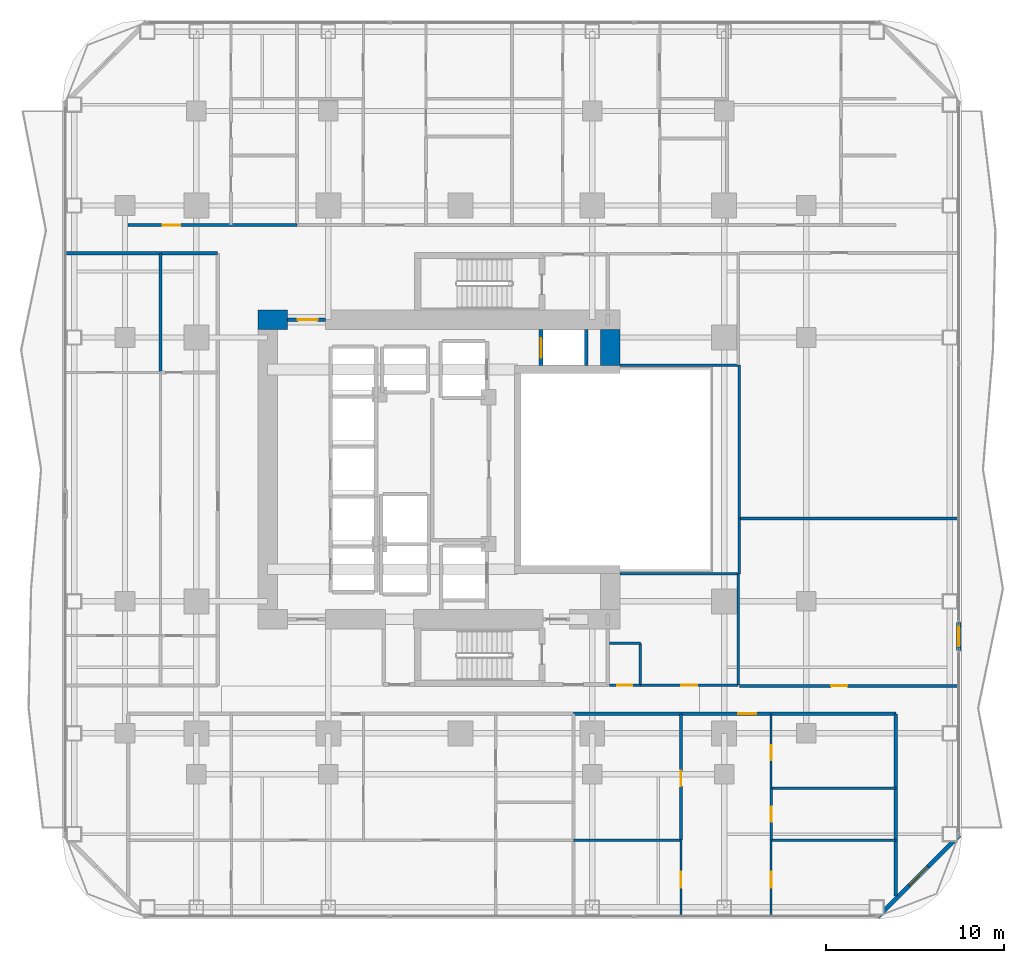
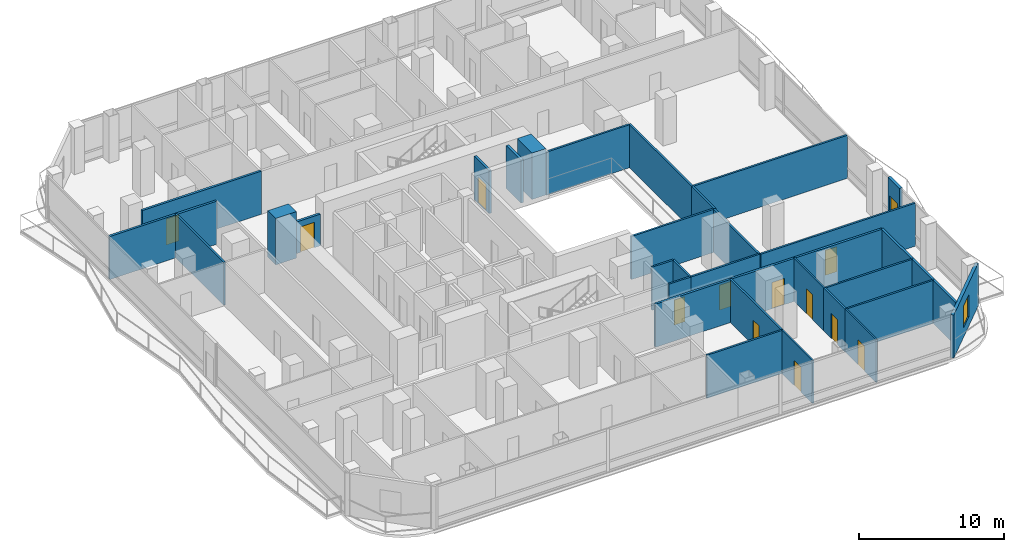
# One storey, part 22 of 27: 31 walls, 13 doors, 1 window, 14 openings.
"""IFC4 building model written with IfcOpenShell, lengths in metres."""

from ifc_helpers import new_model, si_unit, direction, frame, frame_2d, origin, place, context, subcontext, project, spatial, rectangle, extrude, material, layer, layer_set, type_object, element, fill, save


model = new_model("IFC4")

# Units and contexts
model_context = context("Model", 3, precision=1e-05, world=origin(), true_north=direction((0.0, 1.0)))
body_context = subcontext(model_context, "Body", "Model", "MODEL_VIEW")
ifc_project = project(units=[si_unit("LENGTHUNIT", "METRE"), si_unit("AREAUNIT", "SQUARE_METRE"), si_unit("VOLUMEUNIT", "CUBIC_METRE"), si_unit("PLANEANGLEUNIT", "RADIAN"), si_unit("MASSUNIT", "GRAM", prefix="KILO")], contexts=[model_context])

# Site, building, storey
site_placement = place(None, origin())
site = spatial("IfcSite", under=ifc_project, at=site_placement, CompositionType="ELEMENT")
building_placement = place(site_placement, origin())
building = spatial("IfcBuilding", under=site, at=building_placement, Name="Khorvyn Point Tower", CompositionType="ELEMENT")
storey_placement = place(building_placement, frame((0.0, 0.0, 50.10009765625)))
storey = spatial("IfcBuildingStorey", under=building, at=storey_placement, Name="L13", CompositionType="ELEMENT", Elevation=50.10009765625)

# Wall, opening, door
ifc_material_1 = material(Name="Double acoustic gypsum on twin steel stud", Category="steel")
ifc_layer_1 = layer(ifc_material_1, 0.179931640625)
ifc_layer_set_1 = layer_set([ifc_layer_1], Name="Acoustic Double-Stud Apartment Demising Wall 180")
wall_type_1 = type_object("IfcWallType", Name="Acoustic Double-Stud Apartment Demising Wall 180", PredefinedType="PARTITIONING", material=ifc_layer_set_1)
wall_1_placement = place(storey_placement, frame((-18.6201171875, 13.699951171875, 0.0), z_axis=(0.0, 0.0, 1.0), x_axis=(1.0, 0.0, 0.0)))
wall_1 = element("IfcWall", 1, at=wall_1_placement, inside=storey, type_object=wall_type_1, Name="Wall", PredefinedType="PARTITIONING", context=body_context, shape_type="SweptSolid", body=[
    extrude(rectangle(XDim=9.46923828125, YDim=0.179931640625, at=frame_2d((4.734619140625, 0.0))), origin(), (0.0, 0.0, 1.0), 3.619873046875),
])
opening_1_placement = place(wall_1_placement, frame((1.931396484375, 0.0, 0.0)))
opening_1 = element("IfcOpeningElement", 2, at=opening_1_placement, cuts=wall_1, Name="Opening ID-AP60", PredefinedType="OPENING", context=body_context, shape_type="SweptSolid", body=[
    extrude(rectangle(XDim=1.0, YDim=2.199951171875, at=frame_2d((0.5, 1.10009765625))), frame((0.0, 0.099853515625, 0.0), z_axis=(0.0, -1.0, 0.0), x_axis=(1.0, 0.0, 0.0)), (0.0, 0.0, 1.0), 0.199951171875),
])
ifc_material_2 = material(Name="Engineered hardwood fire-rated leaf", Category="wood")
door_type_1 = type_object("IfcDoorType", Name="Acoustic Solid-Core Timber Apartment Entrance Door 1000x2200", OperationType="NOTDEFINED", PredefinedType="DOOR", material=ifc_material_2)
door_1_placement = place(opening_1_placement, origin())
door_1 = element("IfcDoor", 3, at=door_1_placement, inside=storey, type_object=door_type_1, Name="Door", OperationType="SINGLE_SWING_RIGHT", OverallHeight=2.199951171875, OverallWidth=1.0, PredefinedType="DOOR", context=body_context, shape_type="SweptSolid", body=[
    extrude(rectangle(XDim=1.0, YDim=2.199951171875, at=frame_2d((0.5, 1.10009765625))), frame((0.0, 0.02490234375, 0.0), z_axis=(0.0, -1.0, 0.0), x_axis=(1.0, 0.0, 0.0)), (0.0, 0.0, 1.0), 0.050048828125),
])
fill(opening_1, door_1)

wall_2_placement = place(storey_placement, frame((6.343017578125, -13.699951171875, 0.0), z_axis=(0.0, 0.0, 1.0), x_axis=(1.0, 0.0, 0.0)))
wall_2 = element("IfcWall", 4, at=wall_2_placement, inside=storey, type_object=wall_type_1, Name="Wall", PredefinedType="PARTITIONING", context=body_context, shape_type="SweptSolid", body=[
    extrude(rectangle(XDim=18.076904296875, YDim=0.179931640625, at=frame_2d((9.03857421875, 0.0))), origin(), (0.0, 0.0, 1.0), 3.619873046875),
])
opening_2_placement = place(wall_2_placement, frame((9.251708984375, 0.0, 0.0)))
opening_2 = element("IfcOpeningElement", 5, at=opening_2_placement, cuts=wall_2, Name="Opening ID-AP60", PredefinedType="OPENING", context=body_context, shape_type="SweptSolid", body=[
    extrude(rectangle(XDim=1.0, YDim=2.199951171875, at=frame_2d((0.5, 1.10009765625))), frame((0.0, 0.099853515625, 0.0), z_axis=(0.0, -1.0, 0.0), x_axis=(1.0, 0.0, 0.0)), (0.0, 0.0, 1.0), 0.199951171875),
])
door_2_placement = place(opening_2_placement, origin())
door_2 = element("IfcDoor", 6, at=door_2_placement, inside=storey, type_object=door_type_1, Name="Door", OperationType="SINGLE_SWING_LEFT", OverallHeight=2.199951171875, OverallWidth=1.0, PredefinedType="DOOR", context=body_context, shape_type="SweptSolid", body=[
    extrude(rectangle(XDim=1.0, YDim=2.199951171875, at=frame_2d((0.5, 1.10009765625))), frame((0.0, 0.02490234375, 0.0), z_axis=(0.0, -1.0, 0.0), x_axis=(1.0, 0.0, 0.0)), (0.0, 0.0, 1.0), 0.050048828125),
])
fill(opening_2, door_2)

# Walls
wall_3_placement = place(storey_placement, frame((24.419921875, -23.909912109375, 0.0), z_axis=(0.0, 0.0, 1.0), x_axis=(0.0, 1.0, 0.0)))
element("IfcWall", 7, at=wall_3_placement, inside=storey, type_object=wall_type_1, Name="Wall", PredefinedType="PARTITIONING", context=body_context, shape_type="SweptSolid", body=[
    extrude(rectangle(XDim=10.2099609375, YDim=0.179931640625, at=frame_2d((5.10498046875, 0.0))), origin(), (0.0, 0.0, 1.0), 3.619873046875),
])
wall_4_placement = place(storey_placement, frame((-22.1298828125, 12.1201171875, 0.0), z_axis=(0.0, 0.0, 1.0), x_axis=(1.0, 0.0, 0.0)))
element("IfcWall", 8, at=wall_4_placement, inside=storey, type_object=wall_type_1, Name="Wall", PredefinedType="PARTITIONING", context=body_context, shape_type="SweptSolid", body=[
    extrude(rectangle(XDim=8.52978515625, YDim=0.179931640625, at=frame_2d((4.264892578125, 0.0))), origin(), (0.0, 0.0, 1.0), 3.619873046875),
])

# Wall, opening, door
ifc_material_3 = material(Name="Pale anodised aluminium rainscreen on steel stud", Category="steel")
ifc_layer_2 = layer(ifc_material_3, 0.239990234375)
ifc_layer_set_2 = layer_set([ifc_layer_2], Name="Anodised Aluminium Insulated Corner Spandrel Wall 240")
wall_type_2 = type_object("IfcWallType", Name="Anodised Aluminium Insulated Corner Spandrel Wall 240", PredefinedType="SOLIDWALL", material=ifc_layer_set_2)
wall_5_placement = place(storey_placement, frame((27.949951171875, -8.576904296875, 0.0), z_axis=(0.0, 0.0, 1.0), x_axis=(0.0, -1.0, 0.0)))
wall_5 = element("IfcWall", 9, at=wall_5_placement, inside=storey, type_object=wall_type_2, Name="L13 East Outdoor Threshold Wall", PredefinedType="SOLIDWALL", context=body_context, shape_type="SweptSolid", body=[
    extrude(rectangle(XDim=1.580078125, YDim=0.239990234375, at=frame_2d((0.7900390625, 0.0))), origin(), (0.0, 0.0, 1.0), 3.619873046875),
])
opening_3_placement = place(wall_5_placement, frame((0.239990234375, 0.0, 0.0)))
opening_3 = element("IfcOpeningElement", 10, at=opening_3_placement, cuts=wall_5, Name="Opening BD-1122", PredefinedType="OPENING", context=body_context, shape_type="SweptSolid", body=[
    extrude(rectangle(XDim=1.10009765625, YDim=2.199951171875, at=frame_2d((0.550048828125, 1.10009765625))), frame((0.0, 0.1298828125, 0.0), z_axis=(0.0, -1.0, 0.0), x_axis=(1.0, 0.0, 0.0)), (0.0, 0.0, 1.0), 0.260009765625),
])
ifc_material_4 = material(Name="Anodised aluminium 6063-T6 and laminated Low-E glass", Category="aluminium")
door_type_2 = type_object("IfcDoorType", Name="Glazed Balcony and Terrace Threshold Door 1100x2200", OperationType="NOTDEFINED", PredefinedType="DOOR", material=ifc_material_4)
door_3_placement = place(opening_3_placement, origin())
door_3 = element("IfcDoor", 11, at=door_3_placement, inside=storey, type_object=door_type_2, Name="L13 East Glazed Balcony Outdoor Door", OperationType="SINGLE_SWING_LEFT", OverallHeight=2.199951171875, OverallWidth=1.10009765625, PredefinedType="DOOR", context=body_context, shape_type="SweptSolid", body=[
    extrude(rectangle(XDim=1.10009765625, YDim=2.199951171875, at=frame_2d((0.550048828125, 1.10009765625))), frame((0.0, 0.02490234375, 0.0), z_axis=(0.0, -1.0, 0.0), x_axis=(1.0, 0.0, 0.0)), (0.0, 0.0, 1.0), 0.050048828125),
])
fill(opening_3, door_3)

# Wall, opening, window
wall_6_placement = place(storey_placement, frame((27.992431640625, -20.507568359375, 0.0), z_axis=(0.0, 0.0, 1.0), x_axis=(-0.707106781187, -0.707106781187, 0.0)))
wall_6 = element("IfcWall", 12, at=wall_6_placement, inside=storey, type_object=wall_type_2, Name="L13 Rounded Corner Wall SE", PredefinedType="SOLIDWALL", context=body_context, shape_type="SweptSolid", body=[
    extrude(rectangle(XDim=6.48388671875, YDim=0.239990234375, at=frame_2d((3.241943359375, 0.0))), origin(), (0.0, 0.0, 1.0), 3.619873046875),
])
opening_4_placement = place(wall_6_placement, frame((2.491943359375, 0.0, 0.800048828125)))
opening_4 = element("IfcOpeningElement", 13, at=opening_4_placement, cuts=wall_6, Name="Opening WN-1518", PredefinedType="OPENING", context=body_context, shape_type="SweptSolid", body=[
    extrude(rectangle(XDim=1.5, YDim=1.85009765625, at=frame_2d((0.75, 0.925048828125))), frame((0.0, 0.1298828125, 0.0), z_axis=(0.0, -1.0, 0.0), x_axis=(1.0, 0.0, 0.0)), (0.0, 0.0, 1.0), 0.260009765625),
])
window_type = type_object("IfcWindowType", Name="Anodised Aluminium Rounded-Corner Panoramic Window 1500x1850", PartitioningType="SINGLE_PANEL", PredefinedType="WINDOW", material=ifc_material_4)
window_placement = place(opening_4_placement, origin())
window = element("IfcWindow", 14, at=window_placement, inside=storey, type_object=window_type, Name="L13 Corner Panoramic Window SE", OverallHeight=1.85009765625, OverallWidth=1.5, PartitioningType="SINGLE_PANEL", PredefinedType="WINDOW", context=body_context, shape_type="SweptSolid", body=[
    extrude(rectangle(XDim=1.5, YDim=1.85009765625, at=frame_2d((0.75, 0.925048828125))), frame((0.0, 0.030029296875, 0.0), z_axis=(0.0, -1.0, 0.0), x_axis=(1.0, 0.0, 0.0)), (0.0, 0.0, 1.0), 0.06005859375),
])
fill(opening_4, window)

# Wall, opening, door
ifc_material_5 = material(Name="Concrete C40/50", Category="concrete")
ifc_layer_3 = layer(ifc_material_5, 0.199951171875)
ifc_layer_set_3 = layer_set([ifc_layer_3], Name="Concrete C40/50 Fire-Lobby Compartment Wall 200")
wall_type_3 = type_object("IfcWallType", Name="Concrete C40/50 Fire-Lobby Compartment Wall 200", PredefinedType="SOLIDWALL", material=ifc_layer_set_3)
wall_7_placement = place(storey_placement, frame((-9.699951171875, 8.39990234375, 0.0), z_axis=(0.0, 0.0, 1.0), x_axis=(1.0, 0.0, 0.0)))
wall_7 = element("IfcWall", 15, at=wall_7_placement, inside=storey, type_object=wall_type_3, Name="Wall", PredefinedType="SOLIDWALL", context=body_context, shape_type="SweptSolid", body=[
    extrude(rectangle(XDim=2.14990234375, YDim=0.199951171875, at=frame_2d((1.074951171875, 0.0))), origin(), (0.0, 0.0, 1.0), 2.659912109375),
])
opening_5_placement = place(wall_7_placement, frame((0.597900390625, 0.0, 0.0)))
opening_5 = element("IfcOpeningElement", 16, at=opening_5_placement, cuts=wall_7, Name="Opening ID-FL90", PredefinedType="OPENING", context=body_context, shape_type="SweptSolid", body=[
    extrude(rectangle(XDim=1.10009765625, YDim=2.14990234375, at=frame_2d((0.550048828125, 1.074951171875))), frame((0.0, 0.10986328125, 0.0), z_axis=(0.0, -1.0, 0.0), x_axis=(1.0, 0.0, 0.0)), (0.0, 0.0, 1.0), 0.219970703125),
])
ifc_material_6 = material(Name="Galvanised powder-coated steel", Category="steel")
door_type_3 = type_object("IfcDoorType", Name="Fire-Rated Steel Lobby and Stair Door 1100x2150", OperationType="NOTDEFINED", PredefinedType="DOOR", material=ifc_material_6)
door_4_placement = place(opening_5_placement, origin())
door_4 = element("IfcDoor", 17, at=door_4_placement, inside=storey, type_object=door_type_3, Name="Door", OperationType="SINGLE_SWING_RIGHT", OverallHeight=2.14990234375, OverallWidth=1.10009765625, PredefinedType="DOOR", context=body_context, shape_type="SweptSolid", body=[
    extrude(rectangle(XDim=1.10009765625, YDim=2.14990234375, at=frame_2d((0.550048828125, 1.074951171875))), frame((0.0, 0.02490234375, 0.0), z_axis=(0.0, -1.0, 0.0), x_axis=(1.0, 0.0, 0.0)), (0.0, 0.0, 1.0), 0.050048828125),
])
fill(opening_5, door_4)

ifc_layer_4 = layer(ifc_material_5, 0.199951171875)
ifc_layer_set_4 = layer_set([ifc_layer_4], Name="Concrete C40/50 Structural Hoistway and Stair Shaft Wall 200")
wall_type_4 = type_object("IfcWallType", Name="Concrete C40/50 Structural Hoistway and Stair Shaft Wall 200", PredefinedType="SHEAR", material=ifc_layer_set_4)
wall_8_placement = place(storey_placement, frame((4.52490234375, 5.824951171875, 0.0), z_axis=(0.0, 0.0, 1.0), x_axis=(0.0, 1.0, 0.0)))
wall_8 = element("IfcWall", 18, at=wall_8_placement, inside=storey, type_object=wall_type_4, Name="Wall", PredefinedType="SHEAR", context=body_context, shape_type="SweptSolid", body=[
    extrude(rectangle(XDim=2.025146484375, YDim=0.199951171875, at=frame_2d((1.0126953125, 0.0))), origin(), (0.0, 0.0, 1.0), 3.619873046875),
])
opening_6_placement = place(wall_8_placement, frame((0.425048828125, 0.0, 0.0)))
opening_6 = element("IfcOpeningElement", 19, at=opening_6_placement, cuts=wall_8, Name="Opening LD-1122", PredefinedType="OPENING", context=body_context, shape_type="SweptSolid", body=[
    extrude(rectangle(XDim=1.10009765625, YDim=2.199951171875, at=frame_2d((0.550048828125, 1.10009765625))), frame((0.0, 0.10986328125, 0.0), z_axis=(0.0, -1.0, 0.0), x_axis=(1.0, 0.0, 0.0)), (0.0, 0.0, 1.0), 0.219970703125),
])
ifc_material_7 = material(Name="Stainless steel 1.4301", Category="steel")
door_type_4 = type_object("IfcDoorType", Name="Stainless Steel Automatic Sliding Lift Landing Door 1100x2200", OperationType="SLIDING_TO_LEFT", PredefinedType="DOOR", material=ifc_material_7)
door_5_placement = place(opening_6_placement, origin())
door_5 = element("IfcDoor", 20, at=door_5_placement, inside=storey, type_object=door_type_4, Name="L13 FF-02 Sliding Lift Landing Door", OperationType="SLIDING_TO_LEFT", OverallHeight=2.199951171875, OverallWidth=1.10009765625, PredefinedType="DOOR", context=body_context, shape_type="SweptSolid", body=[
    extrude(rectangle(XDim=1.10009765625, YDim=2.199951171875, at=frame_2d((0.550048828125, 1.10009765625))), frame((0.0, 0.02490234375, 0.0), z_axis=(0.0, -1.0, 0.0), x_axis=(1.0, 0.0, 0.0)), (0.0, 0.0, 1.0), 0.050048828125),
])
fill(opening_6, door_5)

# Walls
wall_9_placement = place(storey_placement, frame((7.074951171875, 5.824951171875, 0.0), z_axis=(0.0, 0.0, 1.0), x_axis=(0.0, 1.0, 0.0)))
element("IfcWall", 21, at=wall_9_placement, inside=storey, type_object=wall_type_4, Name="Wall", PredefinedType="SHEAR", context=body_context, shape_type="SweptSolid", body=[
    extrude(rectangle(XDim=2.025146484375, YDim=0.199951171875, at=frame_2d((1.0126953125, 0.0))), origin(), (0.0, 0.0, 1.0), 3.619873046875),
])
ifc_material_8 = material(Name="Concrete C50/60", Category="concrete")
ifc_layer_5 = layer(ifc_material_8, 1.10009765625)
ifc_layer_set_5 = layer_set([ifc_layer_5], Name="Concrete C50/60 Core Shear Wall 1100")
wall_type_5 = type_object("IfcWallType", Name="Concrete C50/60 Core Shear Wall 1100", PredefinedType="SHEAR", material=ifc_layer_set_5)
wall_10_placement = place(storey_placement, frame((-11.35009765625, 8.39990234375, 0.0), z_axis=(0.0, 0.0, 1.0), x_axis=(1.0, 0.0, 0.0)))
element("IfcWall", 22, at=wall_10_placement, inside=storey, type_object=wall_type_5, Name="Wall", PredefinedType="SHEAR", context=body_context, shape_type="SweptSolid", body=[
    extrude(rectangle(XDim=1.650146484375, YDim=1.10009765625, at=frame_2d((0.8251953125, 0.0))), origin(), (0.0, 0.0, 1.0), 3.89990234375),
])
wall_11_placement = place(storey_placement, frame((8.39990234375, 5.824951171875, 0.0), z_axis=(0.0, 0.0, 1.0), x_axis=(0.0, 1.0, 0.0)))
element("IfcWall", 23, at=wall_11_placement, inside=storey, type_object=wall_type_5, Name="Wall", PredefinedType="SHEAR", context=body_context, shape_type="SweptSolid", body=[
    extrude(rectangle(XDim=2.025146484375, YDim=1.10009765625, at=frame_2d((1.0126953125, 0.0))), origin(), (0.0, 0.0, 1.0), 3.89990234375),
])

# Wall, opening, door
ifc_material_9 = material(Name="Gypsum plasterboard on steel stud", Category="steel")
ifc_layer_6 = layer(ifc_material_9, 0.1201171875)
ifc_layer_set_6 = layer_set([ifc_layer_6], Name="Gypsum Acoustic Stud Room Partition Wall 120")
wall_type_6 = type_object("IfcWallType", Name="Gypsum Acoustic Stud Room Partition Wall 120", PredefinedType="PARTITIONING", material=ifc_layer_set_6)
wall_12_placement = place(storey_placement, frame((12.375, -25.030029296875, 0.0), z_axis=(0.0, 0.0, 1.0), x_axis=(0.0, 1.0, 0.0)))
wall_12 = element("IfcWall", 24, at=wall_12_placement, inside=storey, type_object=wall_type_6, Name="Wall", PredefinedType="PARTITIONING", context=body_context, shape_type="SweptSolid", body=[
    extrude(rectangle(XDim=4.239990234375, YDim=0.1201171875, at=frame_2d((2.1201171875, 0.0))), origin(), (0.0, 0.0, 1.0), 3.619873046875),
])
opening_7_placement = place(wall_12_placement, frame((1.581298828125, 0.0, 0.0)))
opening_7 = element("IfcOpeningElement", 25, at=opening_7_placement, cuts=wall_12, Name="Opening ID-RM90", PredefinedType="OPENING", context=body_context, shape_type="SweptSolid", body=[
    extrude(rectangle(XDim=0.89990234375, YDim=2.10009765625, at=frame_2d((0.449951171875, 1.050048828125))), frame((0.0, 0.070068359375, 0.0), z_axis=(0.0, -1.0, 0.0), x_axis=(1.0, 0.0, 0.0)), (0.0, 0.0, 1.0), 0.14013671875),
])
ifc_material_10 = material(Name="Engineered oak veneer timber", Category="wood")
door_type_5 = type_object("IfcDoorType", Name="Flush Engineered Timber Room Door 900x2100", OperationType="NOTDEFINED", PredefinedType="DOOR", material=ifc_material_10)
door_6_placement = place(opening_7_placement, origin())
door_6 = element("IfcDoor", 26, at=door_6_placement, inside=storey, type_object=door_type_5, Name="Door", OperationType="SINGLE_SWING_LEFT", OverallHeight=2.10009765625, OverallWidth=0.89990234375, PredefinedType="DOOR", context=body_context, shape_type="SweptSolid", body=[
    extrude(rectangle(XDim=0.89990234375, YDim=2.10009765625, at=frame_2d((0.449951171875, 1.050048828125))), frame((0.0, 0.02490234375, 0.0), z_axis=(0.0, -1.0, 0.0), x_axis=(1.0, 0.0, 0.0)), (0.0, 0.0, 1.0), 0.050048828125),
])
fill(opening_7, door_6)

wall_13_placement = place(storey_placement, frame((17.427978515625, -17.883056640625, 0.0), z_axis=(0.0, 0.0, 1.0), x_axis=(0.0, 1.0, 0.0)))
wall_13 = element("IfcWall", 27, at=wall_13_placement, inside=storey, type_object=wall_type_6, Name="Wall", PredefinedType="PARTITIONING", context=body_context, shape_type="SweptSolid", body=[
    extrude(rectangle(XDim=4.18310546875, YDim=0.1201171875, at=frame_2d((2.091552734375, 0.0))), origin(), (0.0, 0.0, 1.0), 3.619873046875),
])
opening_8_placement = place(wall_13_placement, frame((1.577880859375, 0.0, 0.0)))
opening_8 = element("IfcOpeningElement", 28, at=opening_8_placement, cuts=wall_13, Name="Opening ID-WC85", PredefinedType="OPENING", context=body_context, shape_type="SweptSolid", body=[
    extrude(rectangle(XDim=0.85009765625, YDim=2.10009765625, at=frame_2d((0.425048828125, 1.050048828125))), frame((0.0, 0.070068359375, 0.0), z_axis=(0.0, -1.0, 0.0), x_axis=(1.0, 0.0, 0.0)), (0.0, 0.0, 1.0), 0.14013671875),
])
ifc_material_11 = material(Name="High-pressure laminate on moisture-resistant core", Category="wood")
door_type_6 = type_object("IfcDoorType", Name="Moisture-Resistant Accessible Washroom Door 850x2100", OperationType="NOTDEFINED", PredefinedType="DOOR", material=ifc_material_11)
door_7_placement = place(opening_8_placement, origin())
door_7 = element("IfcDoor", 29, at=door_7_placement, inside=storey, type_object=door_type_6, Name="Door", OperationType="SINGLE_SWING_LEFT", OverallHeight=2.10009765625, OverallWidth=0.85009765625, PredefinedType="DOOR", context=body_context, shape_type="SweptSolid", body=[
    extrude(rectangle(XDim=0.85009765625, YDim=2.10009765625, at=frame_2d((0.425048828125, 1.050048828125))), frame((0.0, 0.02490234375, 0.0), z_axis=(0.0, -1.0, 0.0), x_axis=(1.0, 0.0, 0.0)), (0.0, 0.0, 1.0), 0.050048828125),
])
fill(opening_8, door_7)

wall_14_placement = place(storey_placement, frame((17.427978515625, -25.030029296875, 0.0), z_axis=(0.0, 0.0, 1.0), x_axis=(0.0, 1.0, 0.0)))
wall_14 = element("IfcWall", 30, at=wall_14_placement, inside=storey, type_object=wall_type_6, Name="Wall", PredefinedType="PARTITIONING", context=body_context, shape_type="SweptSolid", body=[
    extrude(rectangle(XDim=4.239990234375, YDim=0.1201171875, at=frame_2d((2.1201171875, 0.0))), origin(), (0.0, 0.0, 1.0), 3.619873046875),
])
opening_9_placement = place(wall_14_placement, frame((1.581298828125, 0.0, 0.0)))
opening_9 = element("IfcOpeningElement", 31, at=opening_9_placement, cuts=wall_14, Name="Opening ID-RM90", PredefinedType="OPENING", context=body_context, shape_type="SweptSolid", body=[
    extrude(rectangle(XDim=0.89990234375, YDim=2.10009765625, at=frame_2d((0.449951171875, 1.050048828125))), frame((0.0, 0.070068359375, 0.0), z_axis=(0.0, -1.0, 0.0), x_axis=(1.0, 0.0, 0.0)), (0.0, 0.0, 1.0), 0.14013671875),
])
door_8_placement = place(opening_9_placement, origin())
door_8 = element("IfcDoor", 32, at=door_8_placement, inside=storey, type_object=door_type_5, Name="Door", OperationType="SINGLE_SWING_RIGHT", OverallHeight=2.10009765625, OverallWidth=0.89990234375, PredefinedType="DOOR", context=body_context, shape_type="SweptSolid", body=[
    extrude(rectangle(XDim=0.89990234375, YDim=2.10009765625, at=frame_2d((0.449951171875, 1.050048828125))), frame((0.0, 0.02490234375, 0.0), z_axis=(0.0, -1.0, 0.0), x_axis=(1.0, 0.0, 0.0)), (0.0, 0.0, 1.0), 0.050048828125),
])
fill(opening_9, door_8)

ifc_material_12 = material(Name="Moisture-resistant gypsum and cement board", Category="gypsum")
ifc_layer_7 = layer(ifc_material_12, 0.14990234375)
ifc_layer_set_7 = layer_set([ifc_layer_7], Name="Moisture-Resistant Wet-Room Partition Wall 150")
wall_type_7 = type_object("IfcWallType", Name="Moisture-Resistant Wet-Room Partition Wall 150", PredefinedType="PARTITIONING", material=ifc_layer_set_7)
wall_15_placement = place(storey_placement, frame((8.360107421875, -12.10009765625, 0.0), z_axis=(0.0, 0.0, 1.0), x_axis=(1.0, 0.0, 0.0)))
wall_15 = element("IfcWall", 33, at=wall_15_placement, inside=storey, type_object=wall_type_7, Name="Wall", PredefinedType="PARTITIONING", context=body_context, shape_type="SweptSolid", body=[
    extrude(rectangle(XDim=1.739990234375, YDim=0.14990234375, at=frame_2d((0.8701171875, 0.0))), origin(), (0.0, 0.0, 1.0), 3.619873046875),
])
opening_10_placement = place(wall_15_placement, frame((0.445068359375, 0.0, 0.0)))
opening_10 = element("IfcOpeningElement", 34, at=opening_10_placement, cuts=wall_15, Name="Opening ID-WC85", PredefinedType="OPENING", context=body_context, shape_type="SweptSolid", body=[
    extrude(rectangle(XDim=0.85009765625, YDim=2.10009765625, at=frame_2d((0.425048828125, 1.050048828125))), frame((0.0, 0.0849609375, 0.0), z_axis=(0.0, -1.0, 0.0), x_axis=(1.0, 0.0, 0.0)), (0.0, 0.0, 1.0), 0.169921875),
])
door_9_placement = place(opening_10_placement, origin())
door_9 = element("IfcDoor", 35, at=door_9_placement, inside=storey, type_object=door_type_6, Name="Door", OperationType="SINGLE_SWING_LEFT", OverallHeight=2.10009765625, OverallWidth=0.85009765625, PredefinedType="DOOR", context=body_context, shape_type="SweptSolid", body=[
    extrude(rectangle(XDim=0.85009765625, YDim=2.10009765625, at=frame_2d((0.425048828125, 1.050048828125))), frame((0.0, 0.02490234375, 0.0), z_axis=(0.0, -1.0, 0.0), x_axis=(1.0, 0.0, 0.0)), (0.0, 0.0, 1.0), 0.050048828125),
])
fill(opening_10, door_9)

wall_16_placement = place(storey_placement, frame((10.10009765625, -12.10009765625, 0.0), z_axis=(0.0, 0.0, 1.0), x_axis=(1.0, 0.0, 0.0)))
wall_16 = element("IfcWall", 36, at=wall_16_placement, inside=storey, type_object=wall_type_7, Name="Wall", PredefinedType="PARTITIONING", context=body_context, shape_type="SweptSolid", body=[
    extrude(rectangle(XDim=5.47998046875, YDim=0.14990234375, at=frame_2d((2.739990234375, 0.0))), origin(), (0.0, 0.0, 1.0), 3.619873046875),
])
opening_11_placement = place(wall_16_placement, frame((2.2900390625, 0.0, 0.0)))
opening_11 = element("IfcOpeningElement", 37, at=opening_11_placement, cuts=wall_16, Name="Opening ID-RM90", PredefinedType="OPENING", context=body_context, shape_type="SweptSolid", body=[
    extrude(rectangle(XDim=0.89990234375, YDim=2.10009765625, at=frame_2d((0.449951171875, 1.050048828125))), frame((0.0, 0.0849609375, 0.0), z_axis=(0.0, -1.0, 0.0), x_axis=(1.0, 0.0, 0.0)), (0.0, 0.0, 1.0), 0.169921875),
])
door_10_placement = place(opening_11_placement, origin())
door_10 = element("IfcDoor", 38, at=door_10_placement, inside=storey, type_object=door_type_5, Name="Door", OperationType="SINGLE_SWING_RIGHT", OverallHeight=2.10009765625, OverallWidth=0.89990234375, PredefinedType="DOOR", context=body_context, shape_type="SweptSolid", body=[
    extrude(rectangle(XDim=0.89990234375, YDim=2.10009765625, at=frame_2d((0.449951171875, 1.050048828125))), frame((0.0, 0.02490234375, 0.0), z_axis=(0.0, -1.0, 0.0), x_axis=(1.0, 0.0, 0.0)), (0.0, 0.0, 1.0), 0.050048828125),
])
fill(opening_11, door_10)

wall_17_placement = place(storey_placement, frame((12.375, -20.7900390625, 0.0), z_axis=(0.0, 0.0, 1.0), x_axis=(0.0, 1.0, 0.0)))
wall_17 = element("IfcWall", 39, at=wall_17_placement, inside=storey, type_object=wall_type_7, Name="Wall", PredefinedType="PARTITIONING", context=body_context, shape_type="SweptSolid", body=[
    extrude(rectangle(XDim=7.090087890625, YDim=0.14990234375, at=frame_2d((3.544921875, 0.0))), origin(), (0.0, 0.0, 1.0), 3.619873046875),
])
opening_12_placement = place(wall_17_placement, frame((3.0302734375, 0.0, 0.0)))
opening_12 = element("IfcOpeningElement", 40, at=opening_12_placement, cuts=wall_17, Name="Opening ID-WC85", PredefinedType="OPENING", context=body_context, shape_type="SweptSolid", body=[
    extrude(rectangle(XDim=0.85009765625, YDim=2.10009765625, at=frame_2d((0.425048828125, 1.050048828125))), frame((0.0, 0.0849609375, 0.0), z_axis=(0.0, -1.0, 0.0), x_axis=(1.0, 0.0, 0.0)), (0.0, 0.0, 1.0), 0.169921875),
])
door_11_placement = place(opening_12_placement, origin())
door_11 = element("IfcDoor", 41, at=door_11_placement, inside=storey, type_object=door_type_6, Name="Door", OperationType="SINGLE_SWING_RIGHT", OverallHeight=2.10009765625, OverallWidth=0.85009765625, PredefinedType="DOOR", context=body_context, shape_type="SweptSolid", body=[
    extrude(rectangle(XDim=0.85009765625, YDim=2.10009765625, at=frame_2d((0.425048828125, 1.050048828125))), frame((0.0, 0.02490234375, 0.0), z_axis=(0.0, -1.0, 0.0), x_axis=(1.0, 0.0, 0.0)), (0.0, 0.0, 1.0), 0.050048828125),
])
fill(opening_12, door_11)

wall_18_placement = place(storey_placement, frame((17.427978515625, -20.7900390625, 0.0), z_axis=(0.0, 0.0, 1.0), x_axis=(0.0, 1.0, 0.0)))
wall_18 = element("IfcWall", 42, at=wall_18_placement, inside=storey, type_object=wall_type_7, Name="Wall", PredefinedType="PARTITIONING", context=body_context, shape_type="SweptSolid", body=[
    extrude(rectangle(XDim=2.906982421875, YDim=0.14990234375, at=frame_2d((1.45361328125, 0.0))), origin(), (0.0, 0.0, 1.0), 3.619873046875),
])
opening_13_placement = place(wall_18_placement, frame((1.028564453125, 0.0, 0.0)))
opening_13 = element("IfcOpeningElement", 43, at=opening_13_placement, cuts=wall_18, Name="Opening ID-WC85", PredefinedType="OPENING", context=body_context, shape_type="SweptSolid", body=[
    extrude(rectangle(XDim=0.85009765625, YDim=2.10009765625, at=frame_2d((0.425048828125, 1.050048828125))), frame((0.0, 0.0849609375, 0.0), z_axis=(0.0, -1.0, 0.0), x_axis=(1.0, 0.0, 0.0)), (0.0, 0.0, 1.0), 0.169921875),
])
door_12_placement = place(opening_13_placement, origin())
door_12 = element("IfcDoor", 44, at=door_12_placement, inside=storey, type_object=door_type_6, Name="Door", OperationType="SINGLE_SWING_RIGHT", OverallHeight=2.10009765625, OverallWidth=0.85009765625, PredefinedType="DOOR", context=body_context, shape_type="SweptSolid", body=[
    extrude(rectangle(XDim=0.85009765625, YDim=2.10009765625, at=frame_2d((0.425048828125, 1.050048828125))), frame((0.0, 0.02490234375, 0.0), z_axis=(0.0, -1.0, 0.0), x_axis=(1.0, 0.0, 0.0)), (0.0, 0.0, 1.0), 0.050048828125),
])
fill(opening_13, door_12)

wall_19_placement = place(storey_placement, frame((15.64990234375, -12.139892578125, 0.0), z_axis=(0.0, 0.0, 1.0), x_axis=(1.0, 0.0, 0.0)))
wall_19 = element("IfcWall", 45, at=wall_19_placement, inside=storey, type_object=wall_type_7, Name="Wall", PredefinedType="PARTITIONING", context=body_context, shape_type="SweptSolid", body=[
    extrude(rectangle(XDim=12.27001953125, YDim=0.14990234375, at=frame_2d((6.135009765625, 0.0))), origin(), (0.0, 0.0, 1.0), 3.619873046875),
])
opening_14_placement = place(wall_19_placement, frame((5.150390625, 0.0, 0.0)))
opening_14 = element("IfcOpeningElement", 46, at=opening_14_placement, cuts=wall_19, Name="Opening ID-RM90", PredefinedType="OPENING", context=body_context, shape_type="SweptSolid", body=[
    extrude(rectangle(XDim=0.89990234375, YDim=2.10009765625, at=frame_2d((0.449951171875, 1.050048828125))), frame((0.0, 0.0849609375, 0.0), z_axis=(0.0, -1.0, 0.0), x_axis=(1.0, 0.0, 0.0)), (0.0, 0.0, 1.0), 0.169921875),
])
door_13_placement = place(opening_14_placement, origin())
door_13 = element("IfcDoor", 47, at=door_13_placement, inside=storey, type_object=door_type_5, Name="Door", OperationType="SINGLE_SWING_LEFT", OverallHeight=2.10009765625, OverallWidth=0.89990234375, PredefinedType="DOOR", context=body_context, shape_type="SweptSolid", body=[
    extrude(rectangle(XDim=0.89990234375, YDim=2.10009765625, at=frame_2d((0.449951171875, 1.050048828125))), frame((0.0, 0.02490234375, 0.0), z_axis=(0.0, -1.0, 0.0), x_axis=(1.0, 0.0, 0.0)), (0.0, 0.0, 1.0), 0.050048828125),
])
fill(opening_14, door_13)

# Walls
wall_20_placement = place(storey_placement, frame((8.360107421875, -9.75, 0.0), z_axis=(0.0, 0.0, 1.0), x_axis=(1.0, 0.0, 0.0)))
element("IfcWall", 48, at=wall_20_placement, inside=storey, type_object=wall_type_7, Name="Wall", PredefinedType="PARTITIONING", context=body_context, shape_type="SweptSolid", body=[
    extrude(rectangle(XDim=1.739990234375, YDim=0.14990234375, at=frame_2d((0.8701171875, 0.0))), origin(), (0.0, 0.0, 1.0), 3.619873046875),
])
wall_21_placement = place(storey_placement, frame((10.10009765625, -12.10009765625, 0.0), z_axis=(0.0, 0.0, 1.0), x_axis=(0.0, 1.0, 0.0)))
element("IfcWall", 49, at=wall_21_placement, inside=storey, type_object=wall_type_7, Name="Wall", PredefinedType="PARTITIONING", context=body_context, shape_type="SweptSolid", body=[
    extrude(rectangle(XDim=2.35009765625, YDim=0.14990234375, at=frame_2d((1.175048828125, 0.0))), origin(), (0.0, 0.0, 1.0), 3.619873046875),
])
wall_22_placement = place(storey_placement, frame((15.580078125, -12.10009765625, 0.0), z_axis=(0.0, 0.0, 1.0), x_axis=(0.0, 1.0, 0.0)))
element("IfcWall", 50, at=wall_22_placement, inside=storey, type_object=wall_type_7, Name="Wall", PredefinedType="PARTITIONING", context=body_context, shape_type="SweptSolid", body=[
    extrude(rectangle(XDim=6.25, YDim=0.14990234375, at=frame_2d((3.125, 0.0))), origin(), (0.0, 0.0, 1.0), 3.619873046875),
])
for number, where, z_axis, x_axis, name in (
    (51, (8.9599609375, -5.85009765625, 0.0), (0.0, 0.0, 1.0), (1.0, 0.0, 0.0), "Wall"),
    (52, (8.9599609375, 5.85009765625, 0.0), (0.0, 0.0, 1.0), (1.0, 0.0, 0.0), "Wall"),
):
    element("IfcWall", number, at=place(storey_placement, frame(where, z_axis=z_axis, x_axis=x_axis)), inside=storey, type_object=wall_type_7, Name=name, PredefinedType="PARTITIONING", context=body_context, shape_type="SweptSolid", body=[
        extrude(rectangle(XDim=6.6201171875, YDim=0.14990234375, at=frame_2d((3.31005859375, 0.0))), origin(), (0.0, 0.0, 1.0), 3.619873046875),
    ])
wall_23_placement = place(storey_placement, frame((6.343017578125, -20.7900390625, 0.0), z_axis=(0.0, 0.0, 1.0), x_axis=(1.0, 0.0, 0.0)))
element("IfcWall", 53, at=wall_23_placement, inside=storey, type_object=wall_type_7, Name="Wall", PredefinedType="PARTITIONING", context=body_context, shape_type="SweptSolid", body=[
    extrude(rectangle(XDim=6.031982421875, YDim=0.14990234375, at=frame_2d((3.01611328125, 0.0))), origin(), (0.0, 0.0, 1.0), 3.619873046875),
])
for number, where, z_axis, x_axis, name in (
    (54, (17.427978515625, -17.883056640625, 0.0), (0.0, 0.0, 1.0), (1.0, 0.0, 0.0), "Wall"),
    (55, (17.427978515625, -20.7900390625, 0.0), (0.0, 0.0, 1.0), (1.0, 0.0, 0.0), "Wall"),
):
    element("IfcWall", number, at=place(storey_placement, frame(where, z_axis=z_axis, x_axis=x_axis)), inside=storey, type_object=wall_type_7, Name=name, PredefinedType="PARTITIONING", context=body_context, shape_type="SweptSolid", body=[
        extrude(rectangle(XDim=6.991943359375, YDim=0.14990234375, at=frame_2d((3.49609375, 0.0))), origin(), (0.0, 0.0, 1.0), 3.619873046875),
    ])
wall_24_placement = place(storey_placement, frame((-16.80810546875, 5.43603515625, 0.0), z_axis=(0.0, 0.0, 1.0), x_axis=(0.0, 1.0, 0.0)))
element("IfcWall", 56, at=wall_24_placement, inside=storey, type_object=wall_type_7, Name="Wall", PredefinedType="PARTITIONING", context=body_context, shape_type="SweptSolid", body=[
    extrude(rectangle(XDim=6.68408203125, YDim=0.14990234375, at=frame_2d((3.342041015625, 0.0))), origin(), (0.0, 0.0, 1.0), 3.619873046875),
])
wall_25_placement = place(storey_placement, frame((15.64990234375, -5.85009765625, 0.0), z_axis=(0.0, 0.0, 1.0), x_axis=(0.0, 1.0, 0.0)))
element("IfcWall", 57, at=wall_25_placement, inside=storey, type_object=wall_type_7, Name="Wall", PredefinedType="PARTITIONING", context=body_context, shape_type="SweptSolid", body=[
    extrude(rectangle(XDim=3.10009765625, YDim=0.14990234375, at=frame_2d((1.550048828125, 0.0))), origin(), (0.0, 0.0, 1.0), 3.619873046875),
])
wall_26_placement = place(storey_placement, frame((15.64990234375, -2.75, 0.0), z_axis=(0.0, 0.0, 1.0), x_axis=(0.0, 1.0, 0.0)))
element("IfcWall", 58, at=wall_26_placement, inside=storey, type_object=wall_type_7, Name="Wall", PredefinedType="PARTITIONING", context=body_context, shape_type="SweptSolid", body=[
    extrude(rectangle(XDim=8.60009765625, YDim=0.14990234375, at=frame_2d((4.300048828125, 0.0))), origin(), (0.0, 0.0, 1.0), 3.619873046875),
])
wall_27_placement = place(storey_placement, frame((15.64990234375, -2.75, 0.0), z_axis=(0.0, 0.0, 1.0), x_axis=(1.0, 0.0, 0.0)))
element("IfcWall", 59, at=wall_27_placement, inside=storey, type_object=wall_type_7, Name="Wall", PredefinedType="PARTITIONING", context=body_context, shape_type="SweptSolid", body=[
    extrude(rectangle(XDim=12.280029296875, YDim=0.14990234375, at=frame_2d((6.14013671875, 0.0))), origin(), (0.0, 0.0, 1.0), 3.619873046875),
])

save(model, "model.ifc")
